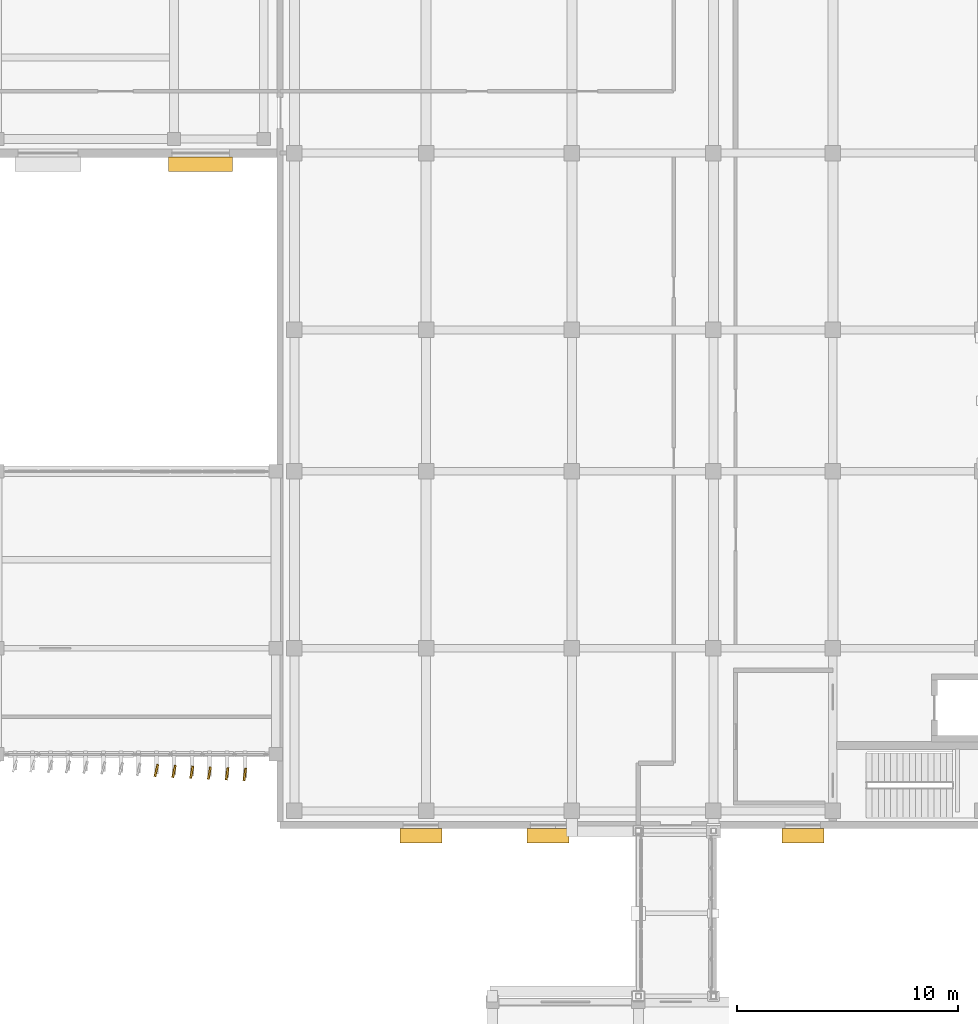
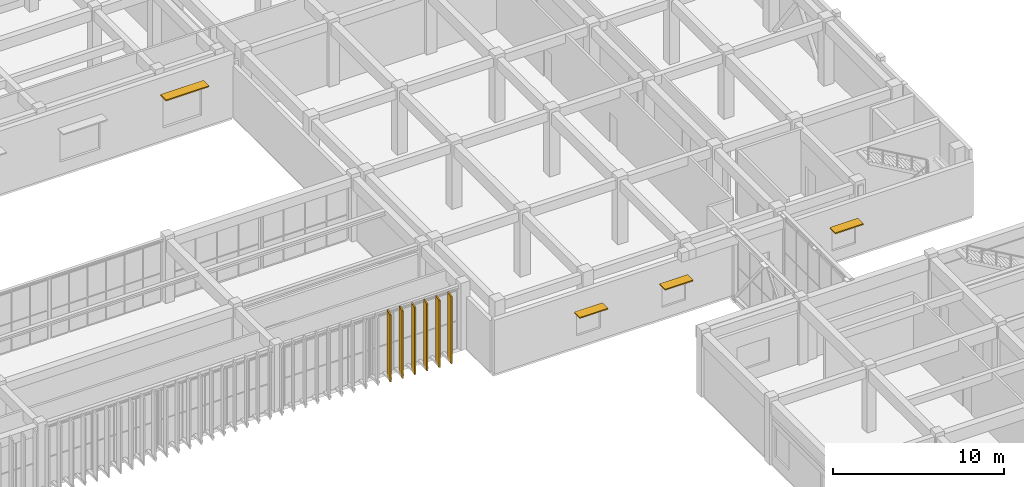
# One storey, part 62 of 64: 6 coverings, 4 shading devices.
"""IFC4 building model written with IfcOpenShell, lengths in metres."""

from ifc_helpers import new_model, si_unit, direction, frame, origin, origin_2d, place, context, subcontext, project, spatial, rectangle, extrude, material, layer, layer_set, type_object, element, save


model = new_model("IFC4")

# Units and contexts
model_context = context("Model", 3, precision=1e-05, world=origin(), true_north=direction((0.0, 1.0)))
body_context = subcontext(model_context, "Body", "Model", "MODEL_VIEW")
ifc_project = project(units=[si_unit("LENGTHUNIT", "METRE"), si_unit("AREAUNIT", "SQUARE_METRE"), si_unit("VOLUMEUNIT", "CUBIC_METRE"), si_unit("PLANEANGLEUNIT", "RADIAN"), si_unit("MASSUNIT", "GRAM", prefix="KILO")], contexts=[model_context])

# Site, building, storey
site_placement = place(None, origin())
site = spatial("IfcSite", under=ifc_project, at=site_placement, CompositionType="ELEMENT")
building_placement = place(site_placement, origin())
building = spatial("IfcBuilding", under=site, at=building_placement, Name="Cinchona Park Media Centre", CompositionType="ELEMENT")
storey_placement = place(building_placement, frame((0.0, 0.0, 5.39990234375)))
storey = spatial("IfcBuildingStorey", under=building, at=storey_placement, Name="L01", CompositionType="ELEMENT", Elevation=5.39990234375)

# Coverings
ifc_material_1 = material(Name="Anodised Storm-Resistant Aluminium Fin", Category="aluminium")
ifc_layer = layer(ifc_material_1, 0.090087890625)
ifc_layer_set = layer_set([ifc_layer], Name="Anodised Storm-Resistant Aluminium Fin")
covering_type = type_object("IfcCoveringType", Name="CLADDING-FIN01", PredefinedType="CLADDING", material=ifc_layer_set)
for number, where, z_axis, x_axis, name in (
    (1, (134.0, 74.070068359375, 0.0), (0.0, 0.0, 1.0), (0.236329411694, 0.971672994977, 0.0), "Twisting Vertical Facade Fin L01"),
    (2, (134.800048828125, 74.030029296875, 0.0), (0.0, 0.0, 1.0), (0.213541936916, 0.97693389806, 0.0), "Twisting Vertical Facade Fin L01"),
    (3, (135.60009765625, 73.990966796875, 0.0), (0.0, 0.0, 1.0), (0.191322947989, 0.981527141537, 0.0), "Twisting Vertical Facade Fin L01"),
    (4, (136.39990234375, 73.9541015625, 0.0), (0.0, 0.0, 1.0), (0.170037510451, 0.985437590637, 0.0), "Twisting Vertical Facade Fin L01"),
    (5, (137.199951171875, 73.919921875, 0.0), (0.0, 0.0, 1.0), (0.150743225348, 0.988572951285, 0.0), "Twisting Vertical Facade Fin L01"),
    (6, (138.0, 73.89111328125, 0.0), (0.0, 0.0, 1.0), (0.134159142573, 0.990959799621, 0.0), "Twisting Vertical Facade Fin L01"),
):
    element("IfcCovering", number, at=place(storey_placement, frame(where, z_axis=z_axis, x_axis=x_axis)), inside=storey, type_object=covering_type, Name=name, PredefinedType="CLADDING", context=body_context, shape_type="SweptSolid", body=[
        extrude(rectangle(XDim=0.56005859375, YDim=0.090087890625, at=origin_2d()), origin(), (0.0, 0.0, 1.0), 4.800048828125),
    ])

# Shading devices
ifc_material_2 = material(Name="Anodised Aluminium Horizontal Brise-Soleil", Category="aluminium")
shading_device_type = type_object("IfcShadingDeviceType", Name="SHADING-SUN01", PredefinedType="AWNING", material=ifc_material_2)
shading_device_placement = place(storey_placement, frame((136.0, 101.489990234375, 3.27001953125), z_axis=(0.0, 0.0, 1.0), x_axis=(-1.0, 0.0, 0.0)))
element("IfcShadingDevice", 7, at=shading_device_placement, inside=storey, type_object=shading_device_type, Name="Horizontal Sunshade SHD02 L01", PredefinedType="AWNING", context=body_context, shape_type="SweptSolid", body=[
    extrude(rectangle(XDim=2.89990234375, YDim=0.64990234375, at=origin_2d()), origin(), (0.0, 0.0, 1.0), 0.080078125),
])
for number, where, z_axis, x_axis, name in (
    (8, (163.239990234375, 71.1201171875, 2.469970703125), (0.0, 0.0, 1.0), (-1.0, 0.0, 0.0), "Horizontal Sunshade SHD02 L01"),
    (9, (151.719970703125, 71.1201171875, 2.469970703125), (0.0, 0.0, 1.0), (-1.0, 0.0, 0.0), "Horizontal Sunshade SHD02 L01"),
    (10, (145.9599609375, 71.1201171875, 2.469970703125), (0.0, 0.0, 1.0), (-1.0, 0.0, 0.0), "Horizontal Sunshade SHD02 L01"),
):
    element("IfcShadingDevice", number, at=place(storey_placement, frame(where, z_axis=z_axis, x_axis=x_axis)), inside=storey, type_object=shading_device_type, Name=name, PredefinedType="AWNING", context=body_context, shape_type="SweptSolid", body=[
        extrude(rectangle(XDim=1.89990234375, YDim=0.64990234375, at=origin_2d()), origin(), (0.0, 0.0, 1.0), 0.080078125),
    ])

save(model, "model.ifc")
